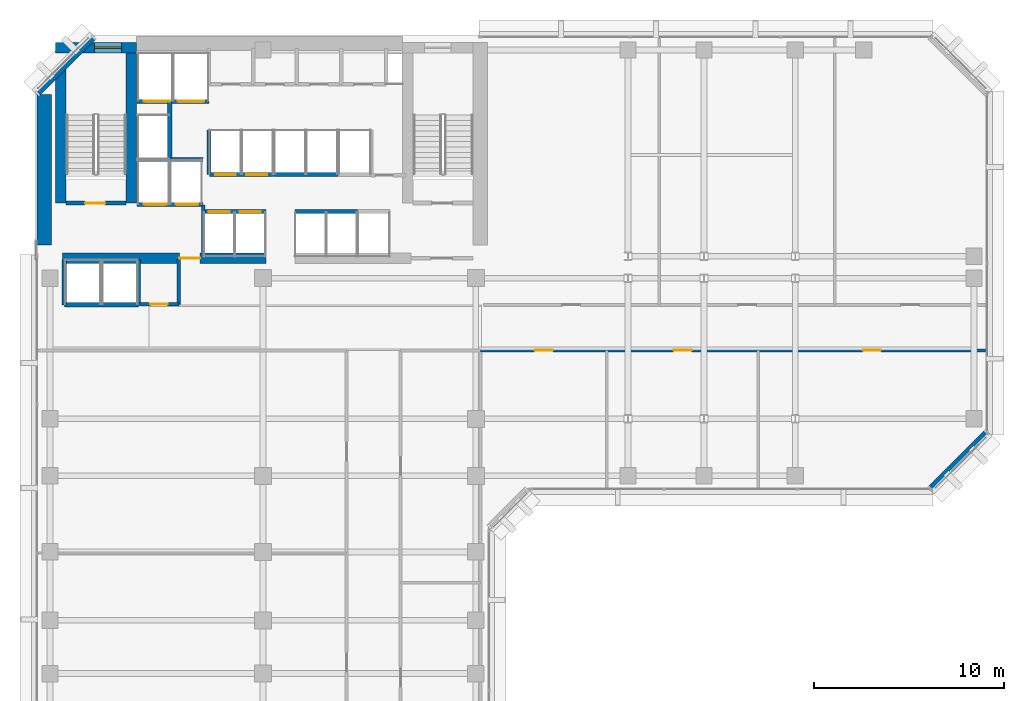
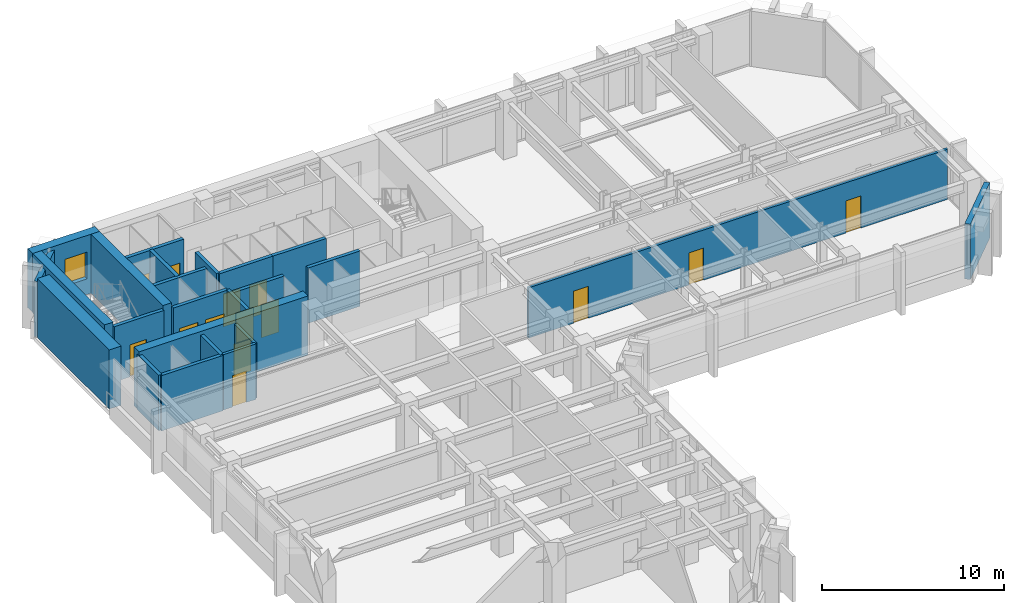
# One storey, part 7 of 12: 24 walls, 14 doors, 1 window, 15 openings.
"""IFC4 building model written with IfcOpenShell, lengths in metres."""

from ifc_helpers import new_model, si_unit, direction, frame, frame_2d, origin, place, context, subcontext, project, spatial, rectangle, extrude, material, layer, layer_set, type_object, element, fill, save


model = new_model("IFC4")

# Units and contexts
model_context = context("Model", 3, precision=1e-05, world=origin(), true_north=direction((0.0, 1.0)))
body_context = subcontext(model_context, "Body", "Model", "MODEL_VIEW")
ifc_project = project(units=[si_unit("LENGTHUNIT", "METRE"), si_unit("AREAUNIT", "SQUARE_METRE"), si_unit("VOLUMEUNIT", "CUBIC_METRE"), si_unit("PLANEANGLEUNIT", "RADIAN"), si_unit("MASSUNIT", "GRAM", prefix="KILO")], contexts=[model_context])

# Site, building, storey
site_placement = place(None, origin())
site = spatial("IfcSite", under=ifc_project, at=site_placement, CompositionType="ELEMENT")
building_placement = place(site_placement, origin())
building = spatial("IfcBuilding", under=site, at=building_placement, Name="Kefirva Bronze Tower", CompositionType="ELEMENT")
storey_placement = place(building_placement, frame((0.0, 0.0, 126.389892578125)))
storey = spatial("IfcBuildingStorey", under=building, at=storey_placement, Name="L30", CompositionType="ELEMENT", Elevation=126.389892578125)

# Wall, opening, door
ifc_material_1 = material(Name="Gypsum fireboard shaftwall")
ifc_layer_1 = layer(ifc_material_1, 0.219970703125, Name="Gypsum fireboard shaftwall")
ifc_layer_set_1 = layer_set([ifc_layer_1], Name="Gypsum fireboard shaftwall")
wall_type_1 = type_object("IfcWallType", Name="Fire-Rated Shaft Enclosure Wall 220mm", PredefinedType="PARTITIONING", material=ifc_layer_set_1)
wall_1_placement = place(storey_placement, frame((1.64990234375, 37.14990234375, 0.0), z_axis=(0.0, 0.0, 1.0), x_axis=(1.0, 0.0, 0.0)))
wall_1 = element("IfcWall", 1, at=wall_1_placement, inside=storey, type_object=wall_type_1, Name="L30 Partition W-L30-ST1S", PredefinedType="PARTITIONING", context=body_context, shape_type="SweptSolid", body=[
    extrude(rectangle(XDim=3.150146484375, YDim=0.219970703125, at=frame_2d((1.5751953125, 0.0))), origin(), (0.0, 0.0, 1.0), 3.710205078125),
])
opening_1_placement = place(wall_1_placement, frame((2.050048828125, 0.0, 0.0), z_axis=(0.0, 0.0, 1.0), x_axis=(-1.0, 0.0, 0.0)))
opening_1 = element("IfcOpeningElement", 2, at=opening_1_placement, cuts=wall_1, Name="Opening L30-D001", PredefinedType="OPENING", context=body_context, shape_type="SweptSolid", body=[
    extrude(rectangle(XDim=1.050048828125, YDim=2.14990234375, at=frame_2d((0.52490234375, 1.074951171875))), frame((0.0, 0.1201171875, 0.0), z_axis=(0.0, -1.0, 0.0), x_axis=(1.0, 0.0, 0.0)), (0.0, 0.0, 1.0), 0.239990234375),
])
ifc_material_2 = material(Name="Painted galvanized steel", Category="steel")
door_type_1 = type_object("IfcDoorType", Name="Fire Stair Enclosure Door 1050x2150 FD90S", OperationType="NOTDEFINED", PredefinedType="DOOR", material=ifc_material_2)
door_1_placement = place(opening_1_placement, origin())
door_1 = element("IfcDoor", 3, at=door_1_placement, inside=storey, type_object=door_type_1, Name="Door L30-D001", OperationType="SINGLE_SWING_RIGHT", OverallHeight=2.14990234375, OverallWidth=1.050048828125, PredefinedType="DOOR", context=body_context, shape_type="SweptSolid", body=[
    extrude(rectangle(XDim=1.050048828125, YDim=2.14990234375, at=frame_2d((0.52490234375, 1.074951171875))), frame((0.0, 0.02490234375, 0.0), z_axis=(0.0, -1.0, 0.0), x_axis=(1.0, 0.0, 0.0)), (0.0, 0.0, 1.0), 0.050048828125),
])
fill(opening_1, door_1)

# Wall, openings, doors
wall_2_placement = place(storey_placement, frame((5.3798828125, 37.080078125, 0.0), z_axis=(0.0, 0.0, 1.0), x_axis=(1.0, 0.0, 0.0)))
wall_2 = element("IfcWall", 4, at=wall_2_placement, inside=storey, type_object=wall_type_1, Name="L30 Partition W-L30-FFS", PredefinedType="PARTITIONING", context=body_context, shape_type="SweptSolid", body=[
    extrude(rectangle(XDim=3.460205078125, YDim=0.219970703125, at=frame_2d((1.72998046875, 0.0))), origin(), (0.0, 0.0, 1.0), 3.710205078125),
])
opening_2_placement = place(wall_2_placement, frame((1.550048828125, 0.0, 0.0), z_axis=(0.0, 0.0, 1.0), x_axis=(-1.0, 0.0, 0.0)))
opening_2 = element("IfcOpeningElement", 5, at=opening_2_placement, cuts=wall_2, Name="Opening L30-LD-FF1", PredefinedType="OPENING", context=body_context, shape_type="SweptSolid", body=[
    extrude(rectangle(XDim=1.199951171875, YDim=2.199951171875, at=frame_2d((0.60009765625, 1.10009765625))), frame((0.0, 0.1201171875, 0.0), z_axis=(0.0, -1.0, 0.0), x_axis=(1.0, 0.0, 0.0)), (0.0, 0.0, 1.0), 0.239990234375),
])
opening_3_placement = place(wall_2_placement, frame((3.219970703125, 0.0, 0.0), z_axis=(0.0, 0.0, 1.0), x_axis=(-1.0, 0.0, 0.0)))
opening_3 = element("IfcOpeningElement", 6, at=opening_3_placement, cuts=wall_2, Name="Opening L30-LD-FF2", PredefinedType="OPENING", context=body_context, shape_type="SweptSolid", body=[
    extrude(rectangle(XDim=1.199951171875, YDim=2.199951171875, at=frame_2d((0.60009765625, 1.10009765625))), frame((0.0, 0.1201171875, 0.0), z_axis=(0.0, -1.0, 0.0), x_axis=(1.0, 0.0, 0.0)), (0.0, 0.0, 1.0), 0.239990234375),
])
ifc_material_3 = material(Name="Stainless steel 316", Category="steel")
door_type_2 = type_object("IfcDoorType", Name="Firefighting Lift Sliding Door 1200x2200", OperationType="SLIDING_TO_RIGHT", PredefinedType="DOOR", material=ifc_material_3)
door_2_placement = place(opening_2_placement, origin())
door_2 = element("IfcDoor", 7, at=door_2_placement, inside=storey, type_object=door_type_2, Name="Door L30-LD-FF1", OperationType="SLIDING_TO_RIGHT", OverallHeight=2.199951171875, OverallWidth=1.199951171875, PredefinedType="DOOR", context=body_context, shape_type="SweptSolid", body=[
    extrude(rectangle(XDim=1.199951171875, YDim=2.199951171875, at=frame_2d((0.60009765625, 1.10009765625))), frame((0.0, 0.02490234375, 0.0), z_axis=(0.0, -1.0, 0.0), x_axis=(1.0, 0.0, 0.0)), (0.0, 0.0, 1.0), 0.050048828125),
])
fill(opening_2, door_2)
door_3_placement = place(opening_3_placement, origin())
door_3 = element("IfcDoor", 8, at=door_3_placement, inside=storey, type_object=door_type_2, Name="Door L30-LD-FF2", OperationType="SLIDING_TO_RIGHT", OverallHeight=2.199951171875, OverallWidth=1.199951171875, PredefinedType="DOOR", context=body_context, shape_type="SweptSolid", body=[
    extrude(rectangle(XDim=1.199951171875, YDim=2.199951171875, at=frame_2d((0.60009765625, 1.10009765625))), frame((0.0, 0.02490234375, 0.0), z_axis=(0.0, -1.0, 0.0), x_axis=(1.0, 0.0, 0.0)), (0.0, 0.0, 1.0), 0.050048828125),
])
fill(opening_3, door_3)

# Wall
wall_3_placement = place(storey_placement, frame((5.3798828125, 39.449951171875, 0.0), z_axis=(0.0, 0.0, 1.0), x_axis=(1.0, 0.0, 0.0)))
element("IfcWall", 9, at=wall_3_placement, inside=storey, type_object=wall_type_1, Name="L30 Partition W-L30-FFN", PredefinedType="PARTITIONING", context=body_context, shape_type="SweptSolid", body=[
    extrude(rectangle(XDim=3.460205078125, YDim=0.219970703125, at=frame_2d((1.72998046875, 0.0))), origin(), (0.0, 0.0, 1.0), 3.710205078125),
])

# Wall, openings, doors
wall_4_placement = place(storey_placement, frame((5.3798828125, 42.5, 0.0), z_axis=(0.0, 0.0, 1.0), x_axis=(1.0, 0.0, 0.0)))
wall_4 = element("IfcWall", 10, at=wall_4_placement, inside=storey, type_object=wall_type_1, Name="L30 Partition W-L30-SVS", PredefinedType="PARTITIONING", context=body_context, shape_type="SweptSolid", body=[
    extrude(rectangle(XDim=3.77001953125, YDim=0.219970703125, at=frame_2d((1.885009765625, 0.0))), origin(), (0.0, 0.0, 1.0), 3.710205078125),
])
opening_4_placement = place(wall_4_placement, frame((1.75, 0.0, 0.0), z_axis=(0.0, 0.0, 1.0), x_axis=(-1.0, 0.0, 0.0)))
opening_4 = element("IfcOpeningElement", 11, at=opening_4_placement, cuts=wall_4, Name="Opening L30-LD-SV1", PredefinedType="OPENING", context=body_context, shape_type="SweptSolid", body=[
    extrude(rectangle(XDim=1.39990234375, YDim=2.199951171875, at=frame_2d((0.699951171875, 1.10009765625))), frame((0.0, 0.1201171875, 0.0), z_axis=(0.0, -1.0, 0.0), x_axis=(1.0, 0.0, 0.0)), (0.0, 0.0, 1.0), 0.239990234375),
])
opening_5_placement = place(wall_4_placement, frame((3.52978515625, 0.0, 0.0), z_axis=(0.0, 0.0, 1.0), x_axis=(-1.0, 0.0, 0.0)))
opening_5 = element("IfcOpeningElement", 12, at=opening_5_placement, cuts=wall_4, Name="Opening L30-LD-SV2", PredefinedType="OPENING", context=body_context, shape_type="SweptSolid", body=[
    extrude(rectangle(XDim=1.39990234375, YDim=2.199951171875, at=frame_2d((0.699951171875, 1.10009765625))), frame((0.0, 0.1201171875, 0.0), z_axis=(0.0, -1.0, 0.0), x_axis=(1.0, 0.0, 0.0)), (0.0, 0.0, 1.0), 0.239990234375),
])
door_type_3 = type_object("IfcDoorType", Name="Goods Lift Bi-Parting Sliding Door 1400x2200", OperationType="SLIDING_TO_LEFT", PredefinedType="DOOR", material=ifc_material_3)
door_4_placement = place(opening_4_placement, origin())
door_4 = element("IfcDoor", 13, at=door_4_placement, inside=storey, type_object=door_type_3, Name="Door L30-LD-SV1", OperationType="SLIDING_TO_LEFT", OverallHeight=2.199951171875, OverallWidth=1.39990234375, PredefinedType="DOOR", context=body_context, shape_type="SweptSolid", body=[
    extrude(rectangle(XDim=1.39990234375, YDim=2.199951171875, at=frame_2d((0.699951171875, 1.10009765625))), frame((0.0, 0.02490234375, 0.0), z_axis=(0.0, -1.0, 0.0), x_axis=(1.0, 0.0, 0.0)), (0.0, 0.0, 1.0), 0.050048828125),
])
fill(opening_4, door_4)
door_5_placement = place(opening_5_placement, origin())
door_5 = element("IfcDoor", 14, at=door_5_placement, inside=storey, type_object=door_type_3, Name="Door L30-LD-SV2", OperationType="SLIDING_TO_LEFT", OverallHeight=2.199951171875, OverallWidth=1.39990234375, PredefinedType="DOOR", context=body_context, shape_type="SweptSolid", body=[
    extrude(rectangle(XDim=1.39990234375, YDim=2.199951171875, at=frame_2d((0.699951171875, 1.10009765625))), frame((0.0, 0.02490234375, 0.0), z_axis=(0.0, -1.0, 0.0), x_axis=(1.0, 0.0, 0.0)), (0.0, 0.0, 1.0), 0.050048828125),
])
fill(opening_5, door_5)

# Walls
wall_5_placement = place(storey_placement, frame((7.10009765625, 39.52001953125, 0.0), z_axis=(0.0, 0.0, 1.0), x_axis=(0.0, 1.0, 0.0)))
element("IfcWall", 15, at=wall_5_placement, inside=storey, type_object=wall_type_1, Name="L30 Partition W-L30-HP3E", PredefinedType="PARTITIONING", context=body_context, shape_type="SweptSolid", body=[
    extrude(rectangle(XDim=2.929931640625, YDim=0.219970703125, at=frame_2d((1.46484375, 0.0))), origin(), (0.0, 0.0, 1.0), 3.710205078125),
])
wall_6_placement = place(storey_placement, frame((1.550048828125, 31.800048828125, 0.0), z_axis=(0.0, 0.0, 1.0), x_axis=(1.0, 0.0, 0.0)))
element("IfcWall", 16, at=wall_6_placement, inside=storey, type_object=wall_type_1, Name="L30 Partition W-L30-OBS", PredefinedType="PARTITIONING", context=body_context, shape_type="SweptSolid", body=[
    extrude(rectangle(XDim=3.89990234375, YDim=0.219970703125, at=frame_2d((1.949951171875, 0.0))), origin(), (0.0, 0.0, 1.0), 3.710205078125),
])
for number, where, z_axis, x_axis, name in (
    (17, (1.550048828125, 31.800048828125, 0.0), (0.0, 0.0, 1.0), (0.0, 1.0, 0.0), "L30 Partition W-L30-OBW"),
    (18, (5.449951171875, 31.800048828125, 0.0), (0.0, 0.0, 1.0), (0.0, 1.0, 0.0), "L30 Partition W-L30-OBE"),
):
    element("IfcWall", number, at=place(storey_placement, frame(where, z_axis=z_axis, x_axis=x_axis)), inside=storey, type_object=wall_type_1, Name=name, PredefinedType="PARTITIONING", context=body_context, shape_type="SweptSolid", body=[
        extrude(rectangle(XDim=2.3798828125, YDim=0.219970703125, at=frame_2d((1.18994140625, 0.0))), origin(), (0.0, 0.0, 1.0), 3.710205078125),
    ])
wall_7_placement = place(storey_placement, frame((9.159912109375, 38.64990234375, 0.0), z_axis=(0.0, 0.0, 1.0), x_axis=(0.0, 1.0, 0.0)))
element("IfcWall", 19, at=wall_7_placement, inside=storey, type_object=wall_type_1, Name="L30 Partition W-L30-LP3W", PredefinedType="PARTITIONING", context=body_context, shape_type="SweptSolid", body=[
    extrude(rectangle(XDim=2.35009765625, YDim=0.199951171875, at=frame_2d((1.175048828125, 0.0))), origin(), (0.0, 0.0, 1.0), 3.710205078125),
])

# Wall, openings, doors
wall_8_placement = place(storey_placement, frame((8.89990234375, 36.699951171875, 0.0), z_axis=(0.0, 0.0, 1.0), x_axis=(1.0, 0.0, 0.0)))
wall_8 = element("IfcWall", 20, at=wall_8_placement, inside=storey, type_object=wall_type_1, Name="L30 Partition W-L30-LPS", PredefinedType="PARTITIONING", context=body_context, shape_type="SweptSolid", body=[
    extrude(rectangle(XDim=3.260009765625, YDim=0.219970703125, at=frame_2d((1.6298828125, 0.0))), origin(), (0.0, 0.0, 1.0), 3.710205078125),
])
opening_6_placement = place(wall_8_placement, frame((0.260009765625, 0.0, 0.0)))
opening_6 = element("IfcOpeningElement", 21, at=opening_6_placement, cuts=wall_8, Name="Opening L30-LD-LP1", PredefinedType="OPENING", context=body_context, shape_type="SweptSolid", body=[
    extrude(rectangle(XDim=1.10009765625, YDim=2.199951171875, at=frame_2d((0.550048828125, 1.10009765625))), frame((0.0, 0.1201171875, 0.0), z_axis=(0.0, -1.0, 0.0), x_axis=(1.0, 0.0, 0.0)), (0.0, 0.0, 1.0), 0.239990234375),
])
opening_7_placement = place(wall_8_placement, frame((1.8798828125, 0.0, 0.0)))
opening_7 = element("IfcOpeningElement", 22, at=opening_7_placement, cuts=wall_8, Name="Opening L30-LD-LP2", PredefinedType="OPENING", context=body_context, shape_type="SweptSolid", body=[
    extrude(rectangle(XDim=1.10009765625, YDim=2.199951171875, at=frame_2d((0.550048828125, 1.10009765625))), frame((0.0, 0.1201171875, 0.0), z_axis=(0.0, -1.0, 0.0), x_axis=(1.0, 0.0, 0.0)), (0.0, 0.0, 1.0), 0.239990234375),
])
door_type_4 = type_object("IfcDoorType", Name="Passenger Lift Sliding Landing Door 1100x2200", OperationType="SLIDING_TO_LEFT", PredefinedType="DOOR", material=ifc_material_3)
door_6_placement = place(opening_6_placement, origin())
door_6 = element("IfcDoor", 23, at=door_6_placement, inside=storey, type_object=door_type_4, Name="Door L30-LD-LP1", OperationType="SLIDING_TO_LEFT", OverallHeight=2.199951171875, OverallWidth=1.10009765625, PredefinedType="DOOR", context=body_context, shape_type="SweptSolid", body=[
    extrude(rectangle(XDim=1.10009765625, YDim=2.199951171875, at=frame_2d((0.550048828125, 1.10009765625))), frame((0.0, 0.02490234375, 0.0), z_axis=(0.0, -1.0, 0.0), x_axis=(1.0, 0.0, 0.0)), (0.0, 0.0, 1.0), 0.050048828125),
])
fill(opening_6, door_6)
door_7_placement = place(opening_7_placement, origin())
door_7 = element("IfcDoor", 24, at=door_7_placement, inside=storey, type_object=door_type_4, Name="Door L30-LD-LP2", OperationType="SLIDING_TO_LEFT", OverallHeight=2.199951171875, OverallWidth=1.10009765625, PredefinedType="DOOR", context=body_context, shape_type="SweptSolid", body=[
    extrude(rectangle(XDim=1.10009765625, YDim=2.199951171875, at=frame_2d((0.550048828125, 1.10009765625))), frame((0.0, 0.02490234375, 0.0), z_axis=(0.0, -1.0, 0.0), x_axis=(1.0, 0.0, 0.0)), (0.0, 0.0, 1.0), 0.050048828125),
])
fill(opening_7, door_7)

wall_9_placement = place(storey_placement, frame((9.179931640625, 38.64990234375, 0.0), z_axis=(0.0, 0.0, 1.0), x_axis=(1.0, 0.0, 0.0)))
wall_9 = element("IfcWall", 25, at=wall_9_placement, inside=storey, type_object=wall_type_1, Name="L30 Partition W-L30-LPN", PredefinedType="PARTITIONING", context=body_context, shape_type="SweptSolid", body=[
    extrude(rectangle(XDim=3.380126953125, YDim=0.219970703125, at=frame_2d((1.68994140625, 0.0))), origin(), (0.0, 0.0, 1.0), 3.710205078125),
])
opening_8_placement = place(wall_9_placement, frame((0.300048828125, 0.0, 0.0)))
opening_8 = element("IfcOpeningElement", 26, at=opening_8_placement, cuts=wall_9, Name="Opening L30-LD-LP3", PredefinedType="OPENING", context=body_context, shape_type="SweptSolid", body=[
    extrude(rectangle(XDim=1.10009765625, YDim=2.199951171875, at=frame_2d((0.550048828125, 1.10009765625))), frame((0.0, 0.1201171875, 0.0), z_axis=(0.0, -1.0, 0.0), x_axis=(1.0, 0.0, 0.0)), (0.0, 0.0, 1.0), 0.239990234375),
])
opening_9_placement = place(wall_9_placement, frame((1.949951171875, 0.0, 0.0)))
opening_9 = element("IfcOpeningElement", 27, at=opening_9_placement, cuts=wall_9, Name="Opening L30-LD-LP4", PredefinedType="OPENING", context=body_context, shape_type="SweptSolid", body=[
    extrude(rectangle(XDim=1.10009765625, YDim=2.199951171875, at=frame_2d((0.550048828125, 1.10009765625))), frame((0.0, 0.1201171875, 0.0), z_axis=(0.0, -1.0, 0.0), x_axis=(1.0, 0.0, 0.0)), (0.0, 0.0, 1.0), 0.239990234375),
])
door_8_placement = place(opening_8_placement, origin())
door_8 = element("IfcDoor", 28, at=door_8_placement, inside=storey, type_object=door_type_4, Name="Door L30-LD-LP3", OperationType="SLIDING_TO_LEFT", OverallHeight=2.199951171875, OverallWidth=1.10009765625, PredefinedType="DOOR", context=body_context, shape_type="SweptSolid", body=[
    extrude(rectangle(XDim=1.10009765625, YDim=2.199951171875, at=frame_2d((0.550048828125, 1.10009765625))), frame((0.0, 0.02490234375, 0.0), z_axis=(0.0, -1.0, 0.0), x_axis=(1.0, 0.0, 0.0)), (0.0, 0.0, 1.0), 0.050048828125),
])
fill(opening_8, door_8)
door_9_placement = place(opening_9_placement, origin())
door_9 = element("IfcDoor", 29, at=door_9_placement, inside=storey, type_object=door_type_4, Name="Door L30-LD-LP4", OperationType="SLIDING_TO_LEFT", OverallHeight=2.199951171875, OverallWidth=1.10009765625, PredefinedType="DOOR", context=body_context, shape_type="SweptSolid", body=[
    extrude(rectangle(XDim=1.10009765625, YDim=2.199951171875, at=frame_2d((0.550048828125, 1.10009765625))), frame((0.0, 0.02490234375, 0.0), z_axis=(0.0, -1.0, 0.0), x_axis=(1.0, 0.0, 0.0)), (0.0, 0.0, 1.0), 0.050048828125),
])
fill(opening_9, door_9)

# Walls
wall_10_placement = place(storey_placement, frame((13.679931640625, 36.699951171875, 0.0), z_axis=(0.0, 0.0, 1.0), x_axis=(1.0, 0.0, 0.0)))
element("IfcWall", 30, at=wall_10_placement, inside=storey, type_object=wall_type_1, Name="L30 Partition W-L30-MPS", PredefinedType="PARTITIONING", context=body_context, shape_type="SweptSolid", body=[
    extrude(rectangle(XDim=3.280029296875, YDim=0.219970703125, at=frame_2d((1.64013671875, 0.0))), origin(), (0.0, 0.0, 1.0), 3.710205078125),
])
wall_11_placement = place(storey_placement, frame((12.580078125, 38.64990234375, 0.0), z_axis=(0.0, 0.0, 1.0), x_axis=(1.0, 0.0, 0.0)))
element("IfcWall", 31, at=wall_11_placement, inside=storey, type_object=wall_type_1, Name="L30 Partition W-L30-MPN", PredefinedType="PARTITIONING", context=body_context, shape_type="SweptSolid", body=[
    extrude(rectangle(XDim=3.3798828125, YDim=0.219970703125, at=frame_2d((1.68994140625, 0.0))), origin(), (0.0, 0.0, 1.0), 3.710205078125),
])
ifc_material_4 = material(Name="Gypsum fireboard barrier")
ifc_layer_2 = layer(ifc_material_4, 0.199951171875, Name="Gypsum fireboard barrier")
ifc_layer_set_2 = layer_set([ifc_layer_2], Name="Gypsum fireboard barrier")
wall_type_2 = type_object("IfcWallType", Name="Firefighting Lobby Barrier Wall 200mm", PredefinedType="PARTITIONING", material=ifc_layer_set_2)
wall_12_placement = place(storey_placement, frame((8.860107421875, 34.550048828125, 0.0), z_axis=(0.0, 0.0, 1.0), x_axis=(0.0, 1.0, 0.0)))
element("IfcWall", 32, at=wall_12_placement, inside=storey, type_object=wall_type_2, Name="L30 Partition W-L30-FFLE", PredefinedType="PARTITIONING", context=body_context, shape_type="SweptSolid", body=[
    extrude(rectangle(XDim=2.5, YDim=0.199951171875, at=frame_2d((1.25, 0.0))), origin(), (0.0, 0.0, 1.0), 3.710205078125),
])
ifc_material_5 = material(Name="Precast concrete C40/50", Category="concrete")
ifc_layer_3 = layer(ifc_material_5, 0.320068359375, Name="Precast concrete C40/50")
ifc_layer_set_3 = layer_set([ifc_layer_3], Name="Precast concrete C40/50")
wall_type_3 = type_object("IfcWallType", Name="Precast Insulated Exterior Wall 320mm", PredefinedType="SOLIDWALL", material=ifc_layer_set_3)
for number, where, z_axis, x_axis, name in (
    (33, (47.125732421875, 22.152099609375, 0.0), (0.0, 0.0, 1.0), (0.707136318428, 0.707077242712, 0.0), "L30 Exterior Facade Wall 3"),
    (34, (3.07421875, 45.847900390625, 0.0), (0.0, 0.0, 1.0), (-0.707106781187, -0.707106781187, 0.0), "L30 Exterior Facade Wall 5"),
):
    element("IfcWall", number, at=place(storey_placement, frame(where, z_axis=z_axis, x_axis=x_axis)), inside=storey, type_object=wall_type_3, Name=name, PredefinedType="SOLIDWALL", context=body_context, shape_type="SweptSolid", body=[
        extrude(rectangle(XDim=4.132568359375, YDim=0.320068359375, at=frame_2d((2.06640625, 0.0))), origin(), (0.0, 0.0, 1.0), 3.710205078125),
    ])

# Wall, openings, doors
ifc_material_6 = material(Name="Gypsum acoustic partition")
ifc_layer_4 = layer(ifc_material_6, 0.159912109375, Name="Gypsum acoustic partition")
ifc_layer_set_4 = layer_set([ifc_layer_4], Name="Gypsum acoustic partition")
wall_type_4 = type_object("IfcWallType", Name="Protected Corridor Partition 160mm", PredefinedType="PARTITIONING", material=ifc_layer_set_4)
wall_13_placement = place(storey_placement, frame((23.449951171875, 29.39990234375, 0.0), z_axis=(0.0, 0.0, 1.0), x_axis=(1.0, 0.0, 0.0)))
wall_13 = element("IfcWall", 35, at=wall_13_placement, inside=storey, type_object=wall_type_4, Name="L30 Partition W-L30-EWS", PredefinedType="PARTITIONING", context=body_context, shape_type="SweptSolid", body=[
    extrude(rectangle(XDim=26.56005859375, YDim=0.159912109375, at=frame_2d((13.280029296875, 0.0))), origin(), (0.0, 0.0, 1.0), 3.364990234375),
])
opening_10_placement = place(wall_13_placement, frame((3.794921875, 0.0, 0.0), z_axis=(0.0, 0.0, 1.0), x_axis=(-1.0, 0.0, 0.0)))
opening_10 = element("IfcOpeningElement", 36, at=opening_10_placement, cuts=wall_13, Name="Opening L30-D-ES1", PredefinedType="OPENING", context=body_context, shape_type="SweptSolid", body=[
    extrude(rectangle(XDim=0.949951171875, YDim=2.14990234375, at=frame_2d((0.47509765625, 1.074951171875))), frame((0.0, 0.08984375, 0.0), z_axis=(0.0, -1.0, 0.0), x_axis=(1.0, 0.0, 0.0)), (0.0, 0.0, 1.0), 0.179931640625),
])
opening_11_placement = place(wall_13_placement, frame((11.098876953125, 0.0, 0.0), z_axis=(0.0, 0.0, 1.0), x_axis=(-1.0, 0.0, 0.0)))
opening_11 = element("IfcOpeningElement", 37, at=opening_11_placement, cuts=wall_13, Name="Opening L30-D-ES2", PredefinedType="OPENING", context=body_context, shape_type="SweptSolid", body=[
    extrude(rectangle(XDim=0.949951171875, YDim=2.14990234375, at=frame_2d((0.47509765625, 1.074951171875))), frame((0.0, 0.08984375, 0.0), z_axis=(0.0, -1.0, 0.0), x_axis=(1.0, 0.0, 0.0)), (0.0, 0.0, 1.0), 0.179931640625),
])
opening_12_placement = place(wall_13_placement, frame((21.058837890625, 0.0, 0.0), z_axis=(0.0, 0.0, 1.0), x_axis=(-1.0, 0.0, 0.0)))
opening_12 = element("IfcOpeningElement", 38, at=opening_12_placement, cuts=wall_13, Name="Opening L30-D-ES3", PredefinedType="OPENING", context=body_context, shape_type="SweptSolid", body=[
    extrude(rectangle(XDim=0.949951171875, YDim=2.14990234375, at=frame_2d((0.47509765625, 1.074951171875))), frame((0.0, 0.08984375, 0.0), z_axis=(0.0, -1.0, 0.0), x_axis=(1.0, 0.0, 0.0)), (0.0, 0.0, 1.0), 0.179931640625),
])
ifc_material_7 = material(Name="Acoustic hardwood oak", Category="wood")
door_type_5 = type_object("IfcDoorType", Name="Office & Meeting Room Door 950x2150", OperationType="NOTDEFINED", PredefinedType="DOOR", material=ifc_material_7)
door_10_placement = place(opening_10_placement, origin())
door_10 = element("IfcDoor", 39, at=door_10_placement, inside=storey, type_object=door_type_5, Name="Door L30-D-ES1", OperationType="SINGLE_SWING_RIGHT", OverallHeight=2.14990234375, OverallWidth=0.949951171875, PredefinedType="DOOR", context=body_context, shape_type="SweptSolid", body=[
    extrude(rectangle(XDim=0.949951171875, YDim=2.14990234375, at=frame_2d((0.47509765625, 1.074951171875))), frame((0.0, 0.02490234375, 0.0), z_axis=(0.0, -1.0, 0.0), x_axis=(1.0, 0.0, 0.0)), (0.0, 0.0, 1.0), 0.050048828125),
])
fill(opening_10, door_10)
door_11_placement = place(opening_11_placement, origin())
door_11 = element("IfcDoor", 40, at=door_11_placement, inside=storey, type_object=door_type_5, Name="Door L30-D-ES2", OperationType="SINGLE_SWING_LEFT", OverallHeight=2.14990234375, OverallWidth=0.949951171875, PredefinedType="DOOR", context=body_context, shape_type="SweptSolid", body=[
    extrude(rectangle(XDim=0.949951171875, YDim=2.14990234375, at=frame_2d((0.47509765625, 1.074951171875))), frame((0.0, 0.02490234375, 0.0), z_axis=(0.0, -1.0, 0.0), x_axis=(1.0, 0.0, 0.0)), (0.0, 0.0, 1.0), 0.050048828125),
])
fill(opening_11, door_11)
door_12_placement = place(opening_12_placement, origin())
door_12 = element("IfcDoor", 41, at=door_12_placement, inside=storey, type_object=door_type_5, Name="Door L30-D-ES3", OperationType="SINGLE_SWING_RIGHT", OverallHeight=2.14990234375, OverallWidth=0.949951171875, PredefinedType="DOOR", context=body_context, shape_type="SweptSolid", body=[
    extrude(rectangle(XDim=0.949951171875, YDim=2.14990234375, at=frame_2d((0.47509765625, 1.074951171875))), frame((0.0, 0.02490234375, 0.0), z_axis=(0.0, -1.0, 0.0), x_axis=(1.0, 0.0, 0.0)), (0.0, 0.0, 1.0), 0.050048828125),
])
fill(opening_12, door_12)

# Wall, opening, window
ifc_material_8 = material(Name="Concrete C50/60", Category="concrete")
ifc_layer_5 = layer(ifc_material_8, 0.550048828125, Name="Concrete C50/60")
ifc_layer_set_5 = layer_set([ifc_layer_5], Name="Concrete C50/60")
wall_type_5 = type_object("IfcWallType", Name="RC Rear Core Exterior Wall 550mm", PredefinedType="SHEAR", material=ifc_layer_set_5)
wall_14_placement = place(storey_placement, frame((1.10009765625, 45.320068359375, 0.0), z_axis=(0.0, 0.0, 1.0), x_axis=(1.0, 0.0, 0.0)))
wall_14 = element("IfcWall", 42, at=wall_14_placement, inside=storey, type_object=wall_type_5, Name="L30 Stair 1 North Shear Wall", PredefinedType="SHEAR", context=body_context, shape_type="SweptSolid", body=[
    extrude(rectangle(XDim=4.239990234375, YDim=0.550048828125, at=frame_2d((2.1201171875, 0.0))), origin(), (0.0, 0.0, 1.0), 3.960205078125),
])
opening_13_placement = place(wall_14_placement, frame((2.050048828125, 0.0, 1.050048828125)))
opening_13 = element("IfcOpeningElement", 43, at=opening_13_placement, cuts=wall_14, Name="Opening WN-03", PredefinedType="OPENING", context=body_context, shape_type="SweptSolid", body=[
    extrude(rectangle(XDim=1.39990234375, YDim=1.800048828125, at=frame_2d((0.699951171875, 0.89990234375))), frame((0.0, 0.28515625, 0.0), z_axis=(0.0, -1.0, 0.0), x_axis=(1.0, 0.0, 0.0)), (0.0, 0.0, 1.0), 0.570068359375),
])
ifc_material_9 = material(Name="Laminated low-E double glazing", Category="glass")
window_type = type_object("IfcWindowType", Name="Rear-Core Stair Daylight Window 1400x1800", PartitioningType="SINGLE_PANEL", PredefinedType="WINDOW", material=ifc_material_9)
window_placement = place(opening_13_placement, origin())
window = element("IfcWindow", 44, at=window_placement, inside=storey, type_object=window_type, Name="L30 Stair 1 Daylight Window", OverallHeight=1.800048828125, OverallWidth=1.39990234375, PartitioningType="SINGLE_PANEL", PredefinedType="WINDOW", context=body_context, shape_type="SweptSolid", body=[
    extrude(rectangle(XDim=1.39990234375, YDim=1.800048828125, at=frame_2d((0.699951171875, 0.89990234375))), frame((0.0, 0.030029296875, 0.0), z_axis=(0.0, -1.0, 0.0), x_axis=(1.0, 0.0, 0.0)), (0.0, 0.0, 1.0), 0.06005859375),
])
fill(opening_13, window)

# Walls
ifc_material_10 = material(Name="Concrete C60/75", Category="concrete")
ifc_layer_6 = layer(ifc_material_10, 0.75, Name="Concrete C60/75")
ifc_layer_set_6 = layer_set([ifc_layer_6], Name="Concrete C60/75")
wall_type_6 = type_object("IfcWallType", Name="RC Rear Core Exterior Wall 750mm", PredefinedType="SHEAR", material=ifc_layer_set_6)
wall_15_placement = place(storey_placement, frame((0.5, 34.949951171875, 0.0), z_axis=(0.0, 0.0, 1.0), x_axis=(0.0, 1.0, 0.0)))
element("IfcWall", 45, at=wall_15_placement, inside=storey, type_object=wall_type_6, Name="L30 Rear Core West Shear Wall", PredefinedType="SHEAR", context=body_context, shape_type="SweptSolid", body=[
    extrude(rectangle(XDim=7.900146484375, YDim=0.75, at=frame_2d((3.9501953125, 0.0))), origin(), (0.0, 0.0, 1.0), 3.960205078125),
])
ifc_layer_7 = layer(ifc_material_8, 0.550048828125, Name="Concrete C50/60")
ifc_layer_set_7 = layer_set([ifc_layer_7], Name="Concrete C50/60")
wall_type_7 = type_object("IfcWallType", Name="RC Rear Core Interior Wall 550mm", PredefinedType="SHEAR", material=ifc_layer_set_7)
for number, where, z_axis, x_axis, name in (
    (46, (1.3701171875, 37.14990234375, 0.0), (0.0, 0.0, 1.0), (0.0, 1.0, 0.0), "L30 Stair 1 West Shear Wall"),
    (47, (5.070068359375, 37.14990234375, 0.0), (0.0, 0.0, 1.0), (0.0, 1.0, 0.0), "L30 Stair 1 East Shear Wall"),
):
    element("IfcWall", number, at=place(storey_placement, frame(where, z_axis=z_axis, x_axis=x_axis)), inside=storey, type_object=wall_type_7, Name=name, PredefinedType="SHEAR", context=body_context, shape_type="SweptSolid", body=[
        extrude(rectangle(XDim=7.89013671875, YDim=0.550048828125, at=frame_2d((3.945068359375, 0.0))), origin(), (0.0, 0.0, 1.0), 3.960205078125),
    ])

# Wall, opening, door
ifc_layer_8 = layer(ifc_material_10, 0.75, Name="Concrete C60/75")
ifc_layer_set_8 = layer_set([ifc_layer_8], Name="Concrete C60/75")
wall_type_8 = type_object("IfcWallType", Name="RC Rear Core Interior Wall 750mm", PredefinedType="SHEAR", material=ifc_layer_set_8)
wall_16_placement = place(storey_placement, frame((1.449951171875, 34.25, 0.0), z_axis=(0.0, 0.0, 1.0), x_axis=(1.0, 0.0, 0.0)))
wall_16 = element("IfcWall", 48, at=wall_16_placement, inside=storey, type_object=wall_type_8, Name="L30 Rear Core South-West Shear Wall", PredefinedType="SHEAR", context=body_context, shape_type="SweptSolid", body=[
    extrude(rectangle(XDim=10.7099609375, YDim=0.550048828125, at=frame_2d((5.35498046875, 0.0))), origin(), (0.0, 0.0, 1.0), 3.960205078125),
])
opening_14_placement = place(wall_16_placement, frame((7.25, 0.0, 0.0), z_axis=(0.0, 0.0, 1.0), x_axis=(-1.0, 0.0, 0.0)))
opening_14 = element("IfcOpeningElement", 49, at=opening_14_placement, cuts=wall_16, Name="Opening L30-D002", PredefinedType="OPENING", context=body_context, shape_type="SweptSolid", body=[
    extrude(rectangle(XDim=1.10009765625, YDim=2.14990234375, at=frame_2d((0.550048828125, 1.074951171875))), frame((0.0, 0.28515625, 0.0), z_axis=(0.0, -1.0, 0.0), x_axis=(1.0, 0.0, 0.0)), (0.0, 0.0, 1.0), 0.570068359375),
])
door_type_6 = type_object("IfcDoorType", Name="Firefighting Lobby Smoke Door 1100x2150 FD60S", OperationType="NOTDEFINED", PredefinedType="DOOR", material=ifc_material_2)
door_13_placement = place(opening_14_placement, origin())
door_13 = element("IfcDoor", 50, at=door_13_placement, inside=storey, type_object=door_type_6, Name="Door L30-D002", OperationType="SINGLE_SWING_LEFT", OverallHeight=2.14990234375, OverallWidth=1.10009765625, PredefinedType="DOOR", context=body_context, shape_type="SweptSolid", body=[
    extrude(rectangle(XDim=1.10009765625, YDim=2.14990234375, at=frame_2d((0.550048828125, 1.074951171875))), frame((0.0, 0.02490234375, 0.0), z_axis=(0.0, -1.0, 0.0), x_axis=(1.0, 0.0, 0.0)), (0.0, 0.0, 1.0), 0.050048828125),
])
fill(opening_14, door_13)

ifc_material_11 = material(Name="Moisture-resistant partition")
ifc_layer_9 = layer(ifc_material_11, 0.179931640625, Name="Moisture-resistant partition")
ifc_layer_set_9 = layer_set([ifc_layer_9], Name="Moisture-resistant partition")
wall_type_9 = type_object("IfcWallType", Name="Sanitary Plumbing Chase Wall 180mm", PredefinedType="PLUMBINGWALL", material=ifc_layer_set_9)
wall_17_placement = place(storey_placement, frame((5.5, 31.820068359375, 0.0), z_axis=(0.0, 0.0, 1.0), x_axis=(1.0, 0.0, 0.0)))
wall_17 = element("IfcWall", 51, at=wall_17_placement, inside=storey, type_object=wall_type_9, Name="L30 Partition W-L30-TCS", PredefinedType="PLUMBINGWALL", context=body_context, shape_type="SweptSolid", body=[
    extrude(rectangle(XDim=2.080078125, YDim=0.179931640625, at=frame_2d((1.0400390625, 0.0))), origin(), (0.0, 0.0, 1.0), 3.710205078125),
])
opening_15_placement = place(wall_17_placement, frame((1.47998046875, 0.0, 0.0), z_axis=(0.0, 0.0, 1.0), x_axis=(-1.0, 0.0, 0.0)))
opening_15 = element("IfcOpeningElement", 52, at=opening_15_placement, cuts=wall_17, Name="Opening L30-D-TCL1", PredefinedType="OPENING", context=body_context, shape_type="SweptSolid", body=[
    extrude(rectangle(XDim=0.89990234375, YDim=2.10009765625, at=frame_2d((0.449951171875, 1.050048828125))), frame((0.0, 0.10009765625, 0.0), z_axis=(0.0, -1.0, 0.0), x_axis=(1.0, 0.0, 0.0)), (0.0, 0.0, 1.0), 0.199951171875),
])
door_type_7 = type_object("IfcDoorType", Name="Telecom & Meter Fire Door 900x2100 FD60S", OperationType="NOTDEFINED", PredefinedType="DOOR", material=ifc_material_2)
door_14_placement = place(opening_15_placement, origin())
door_14 = element("IfcDoor", 53, at=door_14_placement, inside=storey, type_object=door_type_7, Name="Door L30-D-TCL1", OperationType="SINGLE_SWING_LEFT", OverallHeight=2.10009765625, OverallWidth=0.89990234375, PredefinedType="DOOR", context=body_context, shape_type="SweptSolid", body=[
    extrude(rectangle(XDim=0.89990234375, YDim=2.10009765625, at=frame_2d((0.449951171875, 1.050048828125))), frame((0.0, 0.02490234375, 0.0), z_axis=(0.0, -1.0, 0.0), x_axis=(1.0, 0.0, 0.0)), (0.0, 0.0, 1.0), 0.050048828125),
])
fill(opening_15, door_14)

# Wall
wall_18_placement = place(storey_placement, frame((7.580078125, 31.820068359375, 0.0), z_axis=(0.0, 0.0, 1.0), x_axis=(0.0, 1.0, 0.0)))
element("IfcWall", 54, at=wall_18_placement, inside=storey, type_object=wall_type_9, Name="L30 Partition W-L30-TCE", PredefinedType="PLUMBINGWALL", context=body_context, shape_type="SweptSolid", body=[
    extrude(rectangle(XDim=2.35986328125, YDim=0.179931640625, at=frame_2d((1.179931640625, 0.0))), origin(), (0.0, 0.0, 1.0), 3.710205078125),
])

save(model, "model.ifc")
